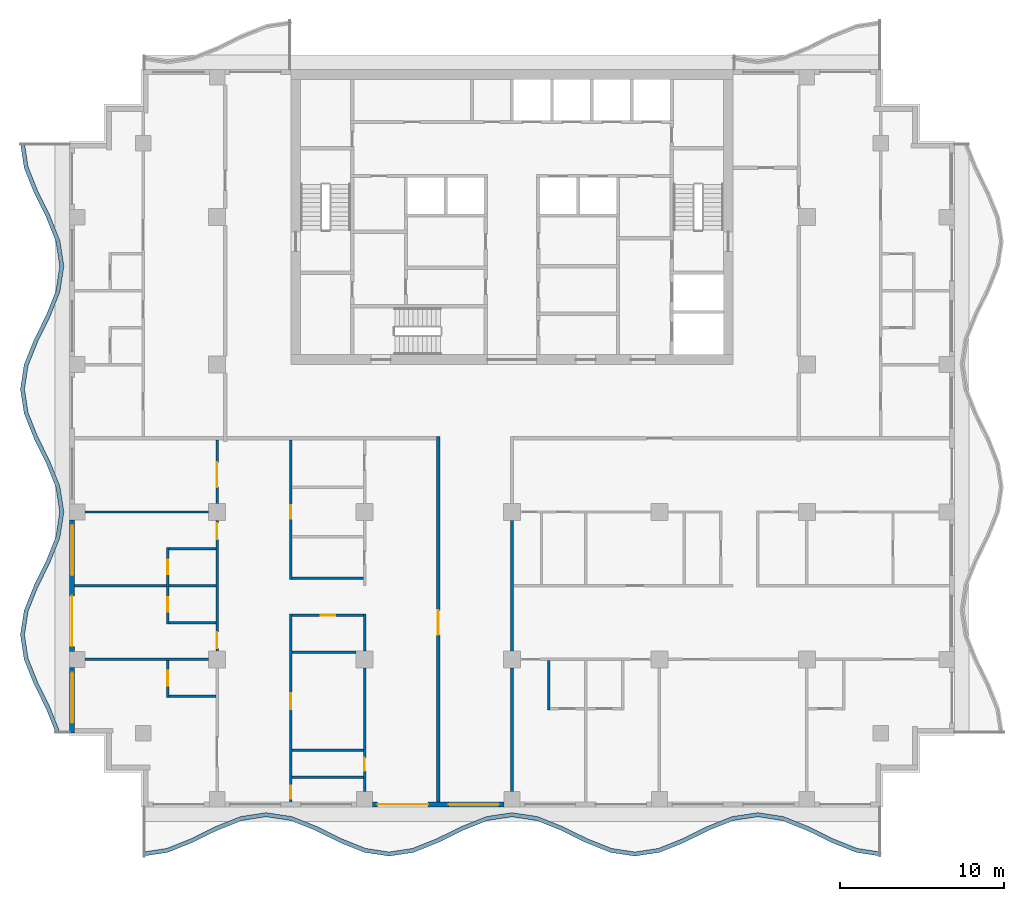
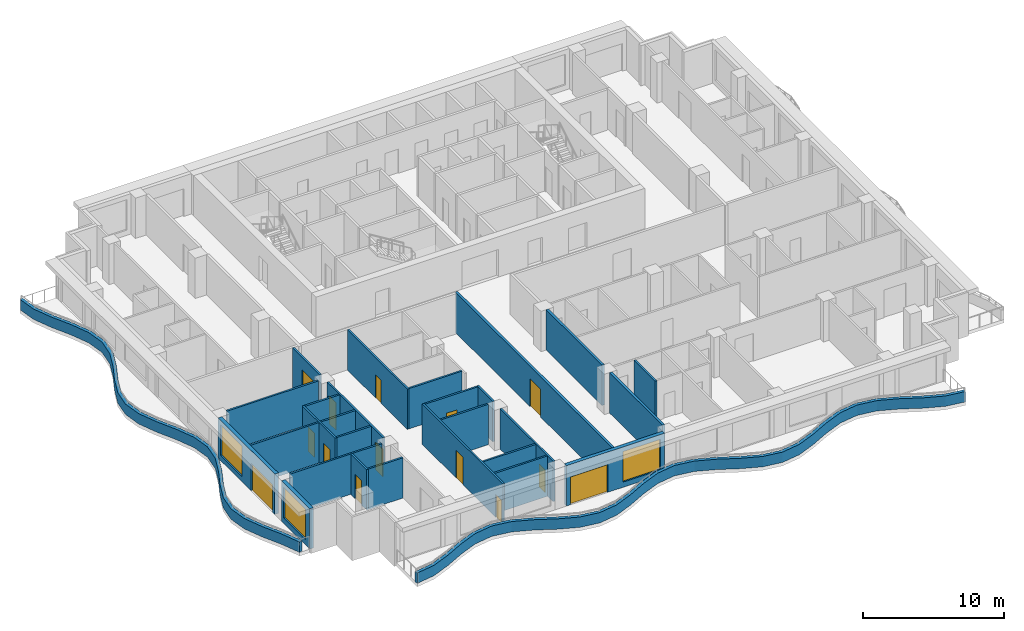
# One storey, part 2 of 11: 29 walls, 14 doors, 3 windows, 17 openings.
"""IFC4 building model written with IfcOpenShell, lengths in metres."""

from ifc_helpers import new_model, si_unit, direction, frame, frame_2d, origin, place, context, subcontext, project, spatial, polyline, rectangle, outline, extrude, material, layer, layer_set, type_object, element, fill, save


model = new_model("IFC4")

# Units and contexts
model_context = context("Model", 3, precision=1e-05, world=origin(), true_north=direction((0.0, 1.0)))
body_context = subcontext(model_context, "Body", "Model", "MODEL_VIEW")
ifc_project = project(units=[si_unit("LENGTHUNIT", "METRE"), si_unit("AREAUNIT", "SQUARE_METRE"), si_unit("VOLUMEUNIT", "CUBIC_METRE"), si_unit("PLANEANGLEUNIT", "RADIAN"), si_unit("MASSUNIT", "GRAM", prefix="KILO")], contexts=[model_context])

# Site, building, storey
site_placement = place(None, origin())
site = spatial("IfcSite", under=ifc_project, at=site_placement, CompositionType="ELEMENT")
building_placement = place(site_placement, origin())
building = spatial("IfcBuilding", under=site, at=building_placement, Name="Orbiselva Terraces", CompositionType="ELEMENT")
storey_placement = place(building_placement, frame((0.0, 0.0, 218.6)))
storey = spatial("IfcBuildingStorey", under=building, at=storey_placement, Name="L55", CompositionType="ELEMENT", Elevation=218.6)

# Walls
ifc_material_1 = material(Name="Concrete C40/50", Category="concrete")
ifc_layer_1 = layer(ifc_material_1, 0.25)
ifc_layer_set_1 = layer_set([ifc_layer_1], Name="Concrete C40/50")
wall_type_1 = type_object("IfcWallType", Name="ENV-PLANTER-250x900", PredefinedType="USERDEFINED", material=ifc_layer_set_1)
wall_1_placement = place(storey_placement, origin())
element("IfcWall", 1, at=wall_1_placement, inside=storey, type_object=wall_type_1, Name="Balcony planter L55 S", ObjectType="PLANTER", PredefinedType="USERDEFINED", context=body_context, shape_type="SweptSolid", body=[
    extrude(outline(polyline([(-22.5, -25.5), (-21.0, -25.27082), (-19.5, -24.67082), (-18.0, -23.92918), (-16.5, -23.32918), (-15.0, -23.1), (-13.5, -23.32918), (-12.0, -23.92918), (-10.5, -24.67082), (-9.0, -25.27082), (-7.5, -25.5), (-6.0, -25.27082), (-4.5, -24.67082), (-3.0, -23.92918), (-1.5, -23.32918), (0.0, -23.1), (1.5, -23.32918), (3.0, -23.92918), (4.5, -24.67082), (6.0, -25.27082), (7.5, -25.5), (9.0, -25.27082), (10.5, -24.67082), (12.0, -23.92918), (13.5, -23.32918), (15.0, -23.1), (16.5, -23.32918), (18.0, -23.92918), (19.5, -24.67082), (21.0, -25.27082), (22.5, -25.5), (22.537758, -25.252868), (21.066166, -25.028028), (19.601983, -24.442355), (18.101983, -23.700715), (16.566166, -23.086388), (15.0, -22.847099), (13.433834, -23.086388), (11.898017, -23.700715), (10.398017, -24.442355), (8.933834, -25.028028), (7.5, -25.247099), (6.066166, -25.028028), (4.601983, -24.442355), (3.101983, -23.700715), (1.566166, -23.086388), (0.0, -22.847099), (-1.566166, -23.086388), (-3.101983, -23.700715), (-4.601983, -24.442355), (-6.066166, -25.028028), (-7.5, -25.247099), (-8.933834, -25.028028), (-10.398017, -24.442355), (-11.898017, -23.700715), (-13.433834, -23.086388), (-15.0, -22.847099), (-16.566166, -23.086388), (-18.101983, -23.700715), (-19.601983, -24.442355), (-21.066166, -25.028028), (-22.537758, -25.252868), (-22.5, -25.5)])), origin(), (0.0, 0.0, 1.0), 0.9),
])
wall_2_placement = place(storey_placement, origin())
element("IfcWall", 2, at=wall_2_placement, inside=storey, type_object=wall_type_1, Name="Balcony planter L55 W", ObjectType="PLANTER", PredefinedType="USERDEFINED", context=body_context, shape_type="SweptSolid", body=[
    extrude(outline(polyline([(-30.0, 18.0), (-29.77082, 16.5), (-29.17082, 15.0), (-28.42918, 13.5), (-27.82918, 12.0), (-27.6, 10.5), (-27.82918, 9.0), (-28.42918, 7.5), (-29.17082, 6.0), (-29.77082, 4.5), (-30.0, 3.0), (-29.77082, 1.5), (-29.17082, 0.0), (-28.42918, -1.5), (-27.82918, -3.0), (-27.6, -4.5), (-27.82918, -6.0), (-28.42918, -7.5), (-29.17082, -9.0), (-29.77082, -10.5), (-30.0, -12.0), (-29.77082, -13.5), (-29.17082, -15.0), (-28.42918, -16.5), (-27.82918, -18.0), (-27.597061, -17.907152), (-28.200715, -16.398017), (-28.942355, -14.898017), (-29.528028, -13.433834), (-29.747099, -12.0), (-29.528028, -10.566166), (-28.942355, -9.101983), (-28.200715, -7.601983), (-27.586388, -6.066166), (-27.347099, -4.5), (-27.586388, -2.933834), (-28.200715, -1.398017), (-28.942355, 0.101983), (-29.528028, 1.566166), (-29.747099, 3.0), (-29.528028, 4.433834), (-28.942355, 5.898017), (-28.200715, 7.398017), (-27.586388, 8.933834), (-27.347099, 10.5), (-27.586388, 12.066166), (-28.200715, 13.601983), (-28.942355, 15.101983), (-29.528028, 16.566166), (-29.752868, 18.037758), (-30.0, 18.0)])), origin(), (0.0, 0.0, 1.0), 0.9),
])

# Wall, openings, door, window
ifc_material_2 = material(Name="Terracotta cladding on masonry backing", Category="masonry")
ifc_layer_2 = layer(ifc_material_2, 0.3)
ifc_layer_set_2 = layer_set([ifc_layer_2], Name="Terracotta cladding on masonry backing")
wall_type_2 = type_object("IfcWallType", Name="ENV-WALL-TERRACOTTA-300", PredefinedType="SOLIDWALL", material=ifc_layer_set_2)
wall_3_placement = place(storey_placement, frame((-0.475, -22.35, 0.0), z_axis=(0.0, 0.0, 1.0), x_axis=(-1.0, 0.0, 0.0)))
wall_3 = element("IfcWall", 3, at=wall_3_placement, inside=storey, type_object=wall_type_2, Name="Facade wall L55 S", PredefinedType="SOLIDWALL", context=body_context, shape_type="SweptSolid", body=[
    extrude(rectangle(XDim=8.05, YDim=0.3, at=frame_2d((4.025, 0.0))), origin(), (0.0, 0.0, 1.0), 3.5),
])
opening_1_placement = place(wall_3_placement, frame((4.65, 0.0, 0.0)))
opening_1 = element("IfcOpeningElement", 4, at=opening_1_placement, cuts=wall_3, Name="Opening Z4-D-E02", PredefinedType="OPENING", context=body_context, shape_type="SweptSolid", body=[
    extrude(rectangle(XDim=3.075, YDim=2.4, at=frame_2d((1.5375, 1.2))), frame((0.0, 0.16, 0.0), z_axis=(0.0, -1.0, 0.0), x_axis=(1.0, 0.0, 0.0)), (0.0, 0.0, 1.0), 0.32),
])
opening_2_placement = place(wall_3_placement, frame((0.325, 0.0, 0.45)))
opening_2 = element("IfcOpeningElement", 5, at=opening_2_placement, cuts=wall_3, Name="Opening WN15", PredefinedType="OPENING", context=body_context, shape_type="SweptSolid", body=[
    extrude(rectangle(XDim=3.075, YDim=2.65, at=frame_2d((1.5375, 1.325))), frame((0.0, 0.16, 0.0), z_axis=(0.0, -1.0, 0.0), x_axis=(1.0, 0.0, 0.0)), (0.0, 0.0, 1.0), 0.32),
])
ifc_material_3 = material(Name="Clear low-e glazing in aluminium frame", Category="aluminium")
door_type_1 = type_object("IfcDoorType", Name="BALCONY DOOR 3075 X 2400", OperationType="DOUBLE_DOOR_SLIDING", PredefinedType="DOOR", material=ifc_material_3)
door_1_placement = place(opening_1_placement, origin())
door_1 = element("IfcDoor", 6, at=door_1_placement, inside=storey, type_object=door_type_1, Name="Z4-D-E02", OperationType="SINGLE_SWING_LEFT", OverallHeight=2.4, OverallWidth=3.075, PredefinedType="DOOR", context=body_context, shape_type="SweptSolid", body=[
    extrude(rectangle(XDim=3.075, YDim=2.4, at=frame_2d((1.5375, 1.2))), frame((0.0, 0.025, 0.0), z_axis=(0.0, -1.0, 0.0), x_axis=(1.0, 0.0, 0.0)), (0.0, 0.0, 1.0), 0.05),
])
fill(opening_1, door_1)
window_type = type_object("IfcWindowType", Name="WINDOW 3075 X 2650 S450", PartitioningType="TRIPLE_PANEL_VERTICAL", PredefinedType="WINDOW", material=ifc_material_3)
window_1_placement = place(opening_2_placement, origin())
window_1 = element("IfcWindow", 7, at=window_1_placement, inside=storey, type_object=window_type, Name="Window L55 S", OverallHeight=2.65, OverallWidth=3.075, PartitioningType="SINGLE_PANEL", PredefinedType="WINDOW", context=body_context, shape_type="SweptSolid", body=[
    extrude(rectangle(XDim=3.075, YDim=2.65, at=frame_2d((1.5375, 1.325))), frame((0.0, 0.03, 0.0), z_axis=(0.0, -1.0, 0.0), x_axis=(1.0, 0.0, 0.0)), (0.0, 0.0, 1.0), 0.06),
])
fill(opening_2, window_1)

wall_4_placement = place(storey_placement, frame((-26.85, -13.025, 0.0), z_axis=(0.0, 0.0, 1.0), x_axis=(0.0, 1.0, 0.0)))
wall_4 = element("IfcWall", 8, at=wall_4_placement, inside=storey, type_object=wall_type_2, Name="Facade wall L55 W", PredefinedType="SOLIDWALL", context=body_context, shape_type="SweptSolid", body=[
    extrude(rectangle(XDim=8.05, YDim=0.3, at=frame_2d((4.025, 0.0))), origin(), (0.0, 0.0, 1.0), 3.5),
])
opening_3_placement = place(wall_4_placement, frame((4.65, 0.0, 0.45)))
opening_3 = element("IfcOpeningElement", 9, at=opening_3_placement, cuts=wall_4, Name="Opening WN15", PredefinedType="OPENING", context=body_context, shape_type="SweptSolid", body=[
    extrude(rectangle(XDim=3.075, YDim=2.65, at=frame_2d((1.5375, 1.325))), frame((0.0, 0.16, 0.0), z_axis=(0.0, -1.0, 0.0), x_axis=(1.0, 0.0, 0.0)), (0.0, 0.0, 1.0), 0.32),
])
opening_4_placement = place(wall_4_placement, frame((0.325, 0.0, 0.0)))
opening_4 = element("IfcOpeningElement", 10, at=opening_4_placement, cuts=wall_4, Name="Opening Z4-D-E12", PredefinedType="OPENING", context=body_context, shape_type="SweptSolid", body=[
    extrude(rectangle(XDim=3.075, YDim=2.4, at=frame_2d((1.5375, 1.2))), frame((0.0, 0.16, 0.0), z_axis=(0.0, -1.0, 0.0), x_axis=(1.0, 0.0, 0.0)), (0.0, 0.0, 1.0), 0.32),
])
door_2_placement = place(opening_4_placement, origin())
door_2 = element("IfcDoor", 11, at=door_2_placement, inside=storey, type_object=door_type_1, Name="Z4-D-E12", OperationType="SINGLE_SWING_LEFT", OverallHeight=2.4, OverallWidth=3.075, PredefinedType="DOOR", context=body_context, shape_type="SweptSolid", body=[
    extrude(rectangle(XDim=3.075, YDim=2.4, at=frame_2d((1.5375, 1.2))), frame((0.0, 0.025, 0.0), z_axis=(0.0, -1.0, 0.0), x_axis=(1.0, 0.0, 0.0)), (0.0, 0.0, 1.0), 0.05),
])
fill(opening_4, door_2)
window_2_placement = place(opening_3_placement, origin())
window_2 = element("IfcWindow", 12, at=window_2_placement, inside=storey, type_object=window_type, Name="Window L55 W", OverallHeight=2.65, OverallWidth=3.075, PartitioningType="SINGLE_PANEL", PredefinedType="WINDOW", context=body_context, shape_type="SweptSolid", body=[
    extrude(rectangle(XDim=3.075, YDim=2.65, at=frame_2d((1.5375, 1.325))), frame((0.0, 0.03, 0.0), z_axis=(0.0, -1.0, 0.0), x_axis=(1.0, 0.0, 0.0)), (0.0, 0.0, 1.0), 0.06),
])
fill(opening_3, window_2)

# Wall, opening, window
wall_5_placement = place(storey_placement, frame((-26.85, -18.0, 0.0), z_axis=(0.0, 0.0, 1.0), x_axis=(0.0, 1.0, 0.0)))
wall_5 = element("IfcWall", 13, at=wall_5_placement, inside=storey, type_object=wall_type_2, Name="Facade wall L55 W", PredefinedType="SOLIDWALL", context=body_context, shape_type="SweptSolid", body=[
    extrude(rectangle(XDim=4.025, YDim=0.3, at=frame_2d((2.0125, 0.0))), origin(), (0.0, 0.0, 1.0), 3.5),
])
opening_5_placement = place(wall_5_placement, frame((0.625, 0.0, 0.45)))
opening_5 = element("IfcOpeningElement", 14, at=opening_5_placement, cuts=wall_5, Name="Opening WN15", PredefinedType="OPENING", context=body_context, shape_type="SweptSolid", body=[
    extrude(rectangle(XDim=3.075, YDim=2.65, at=frame_2d((1.5375, 1.325))), frame((0.0, 0.16, 0.0), z_axis=(0.0, -1.0, 0.0), x_axis=(1.0, 0.0, 0.0)), (0.0, 0.0, 1.0), 0.32),
])
window_3_placement = place(opening_5_placement, origin())
window_3 = element("IfcWindow", 15, at=window_3_placement, inside=storey, type_object=window_type, Name="Window L55 W", OverallHeight=2.65, OverallWidth=3.075, PartitioningType="SINGLE_PANEL", PredefinedType="WINDOW", context=body_context, shape_type="SweptSolid", body=[
    extrude(rectangle(XDim=3.075, YDim=2.65, at=frame_2d((1.5375, 1.325))), frame((0.0, 0.03, 0.0), z_axis=(0.0, -1.0, 0.0), x_axis=(1.0, 0.0, 0.0)), (0.0, 0.0, 1.0), 0.06),
])
fill(opening_5, window_3)

# Wall, opening, door
ifc_material_4 = material(Name="Plasterboard on steel stud partition", Category="steel")
ifc_layer_3 = layer(ifc_material_4, 0.2)
ifc_layer_set_3 = layer_set([ifc_layer_3], Name="Plasterboard on steel stud partition")
wall_type_3 = type_object("IfcWallType", Name="UNIT-ENTRANCE-WALL-200", PredefinedType="PARTITIONING", material=ifc_layer_set_3)
wall_6_placement = place(storey_placement, frame((-4.5, -22.2, 0.0), z_axis=(0.0, 0.0, 1.0), x_axis=(0.0, 1.0, 0.0)))
wall_6 = element("IfcWall", 16, at=wall_6_placement, inside=storey, type_object=wall_type_3, Name="PARTITION L55-059", PredefinedType="PARTITIONING", context=body_context, shape_type="SweptSolid", body=[
    extrude(rectangle(XDim=22.3, YDim=0.2, at=frame_2d((11.15, 0.0))), origin(), (0.0, 0.0, 1.0), 3.5),
])
opening_6_placement = place(wall_6_placement, frame((10.2, 0.0, 0.0)))
opening_6 = element("IfcOpeningElement", 17, at=opening_6_placement, cuts=wall_6, Name="Opening Z4-D-14", PredefinedType="OPENING", context=body_context, shape_type="SweptSolid", body=[
    extrude(rectangle(XDim=1.5, YDim=2.4, at=frame_2d((0.75, 1.2))), frame((0.0, 0.11, 0.0), z_axis=(0.0, -1.0, 0.0), x_axis=(1.0, 0.0, 0.0)), (0.0, 0.0, 1.0), 0.22),
])
ifc_material_5 = material(Name="Painted timber door leaf", Category="wood")
door_type_2 = type_object("IfcDoorType", Name="ENTRANCE DOUBLE DOOR 1500", OperationType="NOTDEFINED", PredefinedType="DOOR", material=ifc_material_5)
door_3_placement = place(opening_6_placement, origin())
door_3 = element("IfcDoor", 18, at=door_3_placement, inside=storey, type_object=door_type_2, Name="Z4-D-14", OperationType="DOUBLE_DOOR_SINGLE_SWING", OverallHeight=2.4, OverallWidth=1.5, PredefinedType="DOOR", context=body_context, shape_type="SweptSolid", body=[
    extrude(rectangle(XDim=1.5, YDim=2.4, at=frame_2d((0.75, 1.2))), frame((0.0, 0.025, 0.0), z_axis=(0.0, -1.0, 0.0), x_axis=(1.0, 0.0, 0.0)), (0.0, 0.0, 1.0), 0.05),
])
fill(opening_6, door_3)

# Walls
wall_7_placement = place(storey_placement, frame((0.0, -21.55, 0.0), z_axis=(0.0, 0.0, 1.0), x_axis=(0.0, 1.0, 0.0)))
element("IfcWall", 19, at=wall_7_placement, inside=storey, type_object=wall_type_3, Name="PARTITION L55-060", PredefinedType="PARTITIONING", context=body_context, shape_type="SweptSolid", body=[
    extrude(rectangle(XDim=7.525, YDim=0.2, at=frame_2d((3.7625, 0.0))), origin(), (0.0, 0.0, 1.0), 3.5),
])
wall_8_placement = place(storey_placement, frame((0.0, -12.975, 0.0), z_axis=(0.0, 0.0, 1.0), x_axis=(0.0, 1.0, 0.0)))
element("IfcWall", 20, at=wall_8_placement, inside=storey, type_object=wall_type_3, Name="PARTITION L55-061", PredefinedType="PARTITIONING", context=body_context, shape_type="SweptSolid", body=[
    extrude(rectangle(XDim=7.95, YDim=0.2, at=frame_2d((3.975, 0.0))), origin(), (0.0, 0.0, 1.0), 3.5),
])
ifc_layer_4 = layer(ifc_material_4, 0.15)
ifc_layer_set_4 = layer_set([ifc_layer_4], Name="Plasterboard on steel stud partition")
wall_type_4 = type_object("IfcWallType", Name="UNIT-PARTITION-150", PredefinedType="PARTITIONING", material=ifc_layer_set_4)
for number, where, z_axis, x_axis, name in (
    (21, (-13.425, -20.7, 0.0), (0.0, 0.0, 1.0), (1.0, 0.0, 0.0), "PARTITION L55-001"),
    (22, (-13.425, -19.05, 0.0), (0.0, 0.0, 1.0), (1.0, 0.0, 0.0), "PARTITION L55-002"),
):
    element("IfcWall", number, at=place(storey_placement, frame(where, z_axis=z_axis, x_axis=x_axis)), inside=storey, type_object=wall_type_4, Name=name, PredefinedType="PARTITIONING", context=body_context, shape_type="SweptSolid", body=[
        extrude(rectangle(XDim=4.35, YDim=0.15, at=frame_2d((2.175, 0.0))), origin(), (0.0, 0.0, 1.0), 3.5),
    ])
wall_9_placement = place(storey_placement, frame((-20.925, -15.75, 0.0), z_axis=(0.0, 0.0, 1.0), x_axis=(1.0, 0.0, 0.0)))
element("IfcWall", 23, at=wall_9_placement, inside=storey, type_object=wall_type_4, Name="PARTITION L55-006", PredefinedType="PARTITIONING", context=body_context, shape_type="SweptSolid", body=[
    extrude(rectangle(XDim=2.85, YDim=0.15, at=frame_2d((1.425, 0.0))), origin(), (0.0, 0.0, 1.0), 3.5),
])
wall_10_placement = place(storey_placement, frame((-26.05, -13.5, 0.0), z_axis=(0.0, 0.0, 1.0), x_axis=(1.0, 0.0, 0.0)))
element("IfcWall", 24, at=wall_10_placement, inside=storey, type_object=wall_type_4, Name="PARTITION L55-007", PredefinedType="PARTITIONING", context=body_context, shape_type="SweptSolid", body=[
    extrude(rectangle(XDim=7.525, YDim=0.15, at=frame_2d((3.7625, 0.0))), origin(), (0.0, 0.0, 1.0), 3.5),
])
wall_11_placement = place(storey_placement, frame((-13.425, -13.05, 0.0), z_axis=(0.0, 0.0, 1.0), x_axis=(1.0, 0.0, 0.0)))
element("IfcWall", 25, at=wall_11_placement, inside=storey, type_object=wall_type_4, Name="PARTITION L55-011", PredefinedType="PARTITIONING", context=body_context, shape_type="SweptSolid", body=[
    extrude(rectangle(XDim=3.9, YDim=0.15, at=frame_2d((1.95, 0.0))), origin(), (0.0, 0.0, 1.0), 3.5),
])
wall_12_placement = place(storey_placement, frame((-20.925, -11.25, 0.0), z_axis=(0.0, 0.0, 1.0), x_axis=(1.0, 0.0, 0.0)))
element("IfcWall", 26, at=wall_12_placement, inside=storey, type_object=wall_type_4, Name="PARTITION L55-012", PredefinedType="PARTITIONING", context=body_context, shape_type="SweptSolid", body=[
    extrude(rectangle(XDim=2.85, YDim=0.15, at=frame_2d((1.425, 0.0))), origin(), (0.0, 0.0, 1.0), 3.5),
])

# Wall, opening, door
wall_13_placement = place(storey_placement, frame((-9.075, -10.8, 0.0), z_axis=(0.0, 0.0, 1.0), x_axis=(-1.0, 0.0, 0.0)))
wall_13 = element("IfcWall", 27, at=wall_13_placement, inside=storey, type_object=wall_type_4, Name="PARTITION L55-013", PredefinedType="PARTITIONING", context=body_context, shape_type="SweptSolid", body=[
    extrude(rectangle(XDim=4.35, YDim=0.15, at=frame_2d((2.175, 0.0))), origin(), (0.0, 0.0, 1.0), 3.5),
])
opening_7_placement = place(wall_13_placement, frame((1.7, 0.0, 0.0)))
opening_7 = element("IfcOpeningElement", 28, at=opening_7_placement, cuts=wall_13, Name="Opening Z4-D-18", PredefinedType="OPENING", context=body_context, shape_type="SweptSolid", body=[
    extrude(rectangle(XDim=0.9, YDim=2.1, at=frame_2d((0.45, 1.05))), frame((0.0, 0.085, 0.0), z_axis=(0.0, -1.0, 0.0), x_axis=(1.0, 0.0, 0.0)), (0.0, 0.0, 1.0), 0.17),
])
door_type_3 = type_object("IfcDoorType", Name="BATH DOOR 900", OperationType="NOTDEFINED", PredefinedType="DOOR", material=ifc_material_5)
door_4_placement = place(opening_7_placement, origin())
door_4 = element("IfcDoor", 29, at=door_4_placement, inside=storey, type_object=door_type_3, Name="Z4-D-18", OperationType="SINGLE_SWING_LEFT", OverallHeight=2.1, OverallWidth=0.9, PredefinedType="DOOR", context=body_context, shape_type="SweptSolid", body=[
    extrude(rectangle(XDim=0.9, YDim=2.1, at=frame_2d((0.45, 1.05))), frame((0.0, 0.025, 0.0), z_axis=(0.0, -1.0, 0.0), x_axis=(1.0, 0.0, 0.0)), (0.0, 0.0, 1.0), 0.05),
])
fill(opening_7, door_4)

# Walls
wall_14_placement = place(storey_placement, frame((-26.7, -9.0, 0.0), z_axis=(0.0, 0.0, 1.0), x_axis=(1.0, 0.0, 0.0)))
element("IfcWall", 30, at=wall_14_placement, inside=storey, type_object=wall_type_4, Name="PARTITION L55-014", PredefinedType="PARTITIONING", context=body_context, shape_type="SweptSolid", body=[
    extrude(rectangle(XDim=5.625, YDim=0.15, at=frame_2d((2.8125, 0.0))), origin(), (0.0, 0.0, 1.0), 3.5),
])
wall_15_placement = place(storey_placement, frame((-20.925, -9.0, 0.0), z_axis=(0.0, 0.0, 1.0), x_axis=(1.0, 0.0, 0.0)))
element("IfcWall", 31, at=wall_15_placement, inside=storey, type_object=wall_type_4, Name="PARTITION L55-015", PredefinedType="PARTITIONING", context=body_context, shape_type="SweptSolid", body=[
    extrude(rectangle(XDim=2.85, YDim=0.15, at=frame_2d((1.425, 0.0))), origin(), (0.0, 0.0, 1.0), 3.5),
])
wall_16_placement = place(storey_placement, frame((-13.425, -8.55, 0.0), z_axis=(0.0, 0.0, 1.0), x_axis=(1.0, 0.0, 0.0)))
element("IfcWall", 32, at=wall_16_placement, inside=storey, type_object=wall_type_4, Name="PARTITION L55-018", PredefinedType="PARTITIONING", context=body_context, shape_type="SweptSolid", body=[
    extrude(rectangle(XDim=4.35, YDim=0.15, at=frame_2d((2.175, 0.0))), origin(), (0.0, 0.0, 1.0), 3.5),
])
wall_17_placement = place(storey_placement, frame((-20.925, -6.75, 0.0), z_axis=(0.0, 0.0, 1.0), x_axis=(1.0, 0.0, 0.0)))
element("IfcWall", 33, at=wall_17_placement, inside=storey, type_object=wall_type_4, Name="PARTITION L55-019", PredefinedType="PARTITIONING", context=body_context, shape_type="SweptSolid", body=[
    extrude(rectangle(XDim=2.85, YDim=0.15, at=frame_2d((1.425, 0.0))), origin(), (0.0, 0.0, 1.0), 3.5),
])
wall_18_placement = place(storey_placement, frame((-26.05, -4.5, 0.0), z_axis=(0.0, 0.0, 1.0), x_axis=(1.0, 0.0, 0.0)))
element("IfcWall", 34, at=wall_18_placement, inside=storey, type_object=wall_type_4, Name="PARTITION L55-021", PredefinedType="PARTITIONING", context=body_context, shape_type="SweptSolid", body=[
    extrude(rectangle(XDim=7.525, YDim=0.15, at=frame_2d((3.7625, 0.0))), origin(), (0.0, 0.0, 1.0), 3.5),
])

# Wall, opening, door
wall_19_placement = place(storey_placement, frame((-21.0, -13.575, 0.0), z_axis=(0.0, 0.0, 1.0), x_axis=(0.0, -1.0, 0.0)))
wall_19 = element("IfcWall", 35, at=wall_19_placement, inside=storey, type_object=wall_type_4, Name="PARTITION L55-045", PredefinedType="PARTITIONING", context=body_context, shape_type="SweptSolid", body=[
    extrude(rectangle(XDim=2.25, YDim=0.15, at=frame_2d((1.125, 0.0))), origin(), (0.0, 0.0, 1.0), 3.5),
])
opening_8_placement = place(wall_19_placement, frame((0.625, 0.0, 0.0)))
opening_8 = element("IfcOpeningElement", 36, at=opening_8_placement, cuts=wall_19, Name="Opening Z4-D-23", PredefinedType="OPENING", context=body_context, shape_type="SweptSolid", body=[
    extrude(rectangle(XDim=0.9, YDim=2.1, at=frame_2d((0.45, 1.05))), frame((0.0, 0.085, 0.0), z_axis=(0.0, -1.0, 0.0), x_axis=(1.0, 0.0, 0.0)), (0.0, 0.0, 1.0), 0.17),
])
door_5_placement = place(opening_8_placement, origin())
door_5 = element("IfcDoor", 37, at=door_5_placement, inside=storey, type_object=door_type_3, Name="Z4-D-23", OperationType="SINGLE_SWING_LEFT", OverallHeight=2.1, OverallWidth=0.9, PredefinedType="DOOR", context=body_context, shape_type="SweptSolid", body=[
    extrude(rectangle(XDim=0.9, YDim=2.1, at=frame_2d((0.45, 1.05))), frame((0.0, 0.025, 0.0), z_axis=(0.0, -1.0, 0.0), x_axis=(1.0, 0.0, 0.0)), (0.0, 0.0, 1.0), 0.05),
])
fill(opening_8, door_5)

# Wall, openings, doors
wall_20_placement = place(storey_placement, frame((-21.0, -6.675, 0.0), z_axis=(0.0, 0.0, 1.0), x_axis=(0.0, -1.0, 0.0)))
wall_20 = element("IfcWall", 38, at=wall_20_placement, inside=storey, type_object=wall_type_4, Name="PARTITION L55-046", PredefinedType="PARTITIONING", context=body_context, shape_type="SweptSolid", body=[
    extrude(rectangle(XDim=4.65, YDim=0.15, at=frame_2d((2.325, 0.0))), origin(), (0.0, 0.0, 1.0), 3.5),
])
opening_9_placement = place(wall_20_placement, frame((3.025, 0.0, 0.0)))
opening_9 = element("IfcOpeningElement", 39, at=opening_9_placement, cuts=wall_20, Name="Opening Z4-D-25", PredefinedType="OPENING", context=body_context, shape_type="SweptSolid", body=[
    extrude(rectangle(XDim=0.9, YDim=2.1, at=frame_2d((0.45, 1.05))), frame((0.0, 0.085, 0.0), z_axis=(0.0, -1.0, 0.0), x_axis=(1.0, 0.0, 0.0)), (0.0, 0.0, 1.0), 0.17),
])
opening_10_placement = place(wall_20_placement, frame((0.725, 0.0, 0.0)))
opening_10 = element("IfcOpeningElement", 40, at=opening_10_placement, cuts=wall_20, Name="Opening Z4-D-27", PredefinedType="OPENING", context=body_context, shape_type="SweptSolid", body=[
    extrude(rectangle(XDim=0.9, YDim=2.1, at=frame_2d((0.45, 1.05))), frame((0.0, 0.085, 0.0), z_axis=(0.0, -1.0, 0.0), x_axis=(1.0, 0.0, 0.0)), (0.0, 0.0, 1.0), 0.17),
])
door_6_placement = place(opening_9_placement, origin())
door_6 = element("IfcDoor", 41, at=door_6_placement, inside=storey, type_object=door_type_3, Name="Z4-D-25", OperationType="SINGLE_SWING_RIGHT", OverallHeight=2.1, OverallWidth=0.9, PredefinedType="DOOR", context=body_context, shape_type="SweptSolid", body=[
    extrude(rectangle(XDim=0.9, YDim=2.1, at=frame_2d((0.45, 1.05))), frame((0.0, 0.025, 0.0), z_axis=(0.0, -1.0, 0.0), x_axis=(1.0, 0.0, 0.0)), (0.0, 0.0, 1.0), 0.05),
])
fill(opening_9, door_6)
door_7_placement = place(opening_10_placement, origin())
door_7 = element("IfcDoor", 42, at=door_7_placement, inside=storey, type_object=door_type_3, Name="Z4-D-27", OperationType="SINGLE_SWING_LEFT", OverallHeight=2.1, OverallWidth=0.9, PredefinedType="DOOR", context=body_context, shape_type="SweptSolid", body=[
    extrude(rectangle(XDim=0.9, YDim=2.1, at=frame_2d((0.45, 1.05))), frame((0.0, 0.025, 0.0), z_axis=(0.0, -1.0, 0.0), x_axis=(1.0, 0.0, 0.0)), (0.0, 0.0, 1.0), 0.05),
])
fill(opening_10, door_7)

wall_21_placement = place(storey_placement, frame((-18.0, -12.975, 0.0), z_axis=(0.0, 0.0, 1.0), x_axis=(0.0, 1.0, 0.0)))
wall_21 = element("IfcWall", 43, at=wall_21_placement, inside=storey, type_object=wall_type_4, Name="PARTITION L55-048", PredefinedType="PARTITIONING", context=body_context, shape_type="SweptSolid", body=[
    extrude(rectangle(XDim=7.95, YDim=0.15, at=frame_2d((3.975, 0.0))), origin(), (0.0, 0.0, 1.0), 3.5),
])
opening_11_placement = place(wall_21_placement, frame((0.15, 0.0, 0.0)))
opening_11 = element("IfcOpeningElement", 44, at=opening_11_placement, cuts=wall_21, Name="Opening Z4-D-24", PredefinedType="OPENING", context=body_context, shape_type="SweptSolid", body=[
    extrude(rectangle(XDim=1.0, YDim=2.4, at=frame_2d((0.5, 1.2))), frame((0.0, 0.085, 0.0), z_axis=(0.0, -1.0, 0.0), x_axis=(1.0, 0.0, 0.0)), (0.0, 0.0, 1.0), 0.17),
])
opening_12_placement = place(wall_21_placement, frame((6.8, 0.0, 0.0)))
opening_12 = element("IfcOpeningElement", 45, at=opening_12_placement, cuts=wall_21, Name="Opening Z4-D-26", PredefinedType="OPENING", context=body_context, shape_type="SweptSolid", body=[
    extrude(rectangle(XDim=1.0, YDim=2.4, at=frame_2d((0.5, 1.2))), frame((0.0, 0.085, 0.0), z_axis=(0.0, -1.0, 0.0), x_axis=(1.0, 0.0, 0.0)), (0.0, 0.0, 1.0), 0.17),
])
door_type_4 = type_object("IfcDoorType", Name="ROOM DOOR 1000", OperationType="NOTDEFINED", PredefinedType="DOOR", material=ifc_material_5)
door_8_placement = place(opening_11_placement, origin())
door_8 = element("IfcDoor", 46, at=door_8_placement, inside=storey, type_object=door_type_4, Name="Z4-D-24", OperationType="SINGLE_SWING_LEFT", OverallHeight=2.4, OverallWidth=1.0, PredefinedType="DOOR", context=body_context, shape_type="SweptSolid", body=[
    extrude(rectangle(XDim=1.0, YDim=2.4, at=frame_2d((0.5, 1.2))), frame((0.0, 0.025, 0.0), z_axis=(0.0, -1.0, 0.0), x_axis=(1.0, 0.0, 0.0)), (0.0, 0.0, 1.0), 0.05),
])
fill(opening_11, door_8)
door_9_placement = place(opening_12_placement, origin())
door_9 = element("IfcDoor", 47, at=door_9_placement, inside=storey, type_object=door_type_4, Name="Z4-D-26", OperationType="SINGLE_SWING_RIGHT", OverallHeight=2.4, OverallWidth=1.0, PredefinedType="DOOR", context=body_context, shape_type="SweptSolid", body=[
    extrude(rectangle(XDim=1.0, YDim=2.4, at=frame_2d((0.5, 1.2))), frame((0.0, 0.025, 0.0), z_axis=(0.0, -1.0, 0.0), x_axis=(1.0, 0.0, 0.0)), (0.0, 0.0, 1.0), 0.05),
])
fill(opening_12, door_9)

# Wall, opening, door
wall_22_placement = place(storey_placement, frame((-18.0, -3.975, 0.0), z_axis=(0.0, 0.0, 1.0), x_axis=(0.0, 1.0, 0.0)))
wall_22 = element("IfcWall", 48, at=wall_22_placement, inside=storey, type_object=wall_type_4, Name="PARTITION L55-049", PredefinedType="PARTITIONING", context=body_context, shape_type="SweptSolid", body=[
    extrude(rectangle(XDim=3.875, YDim=0.15, at=frame_2d((1.9375, 0.0))), origin(), (0.0, 0.0, 1.0), 3.5),
])
opening_13_placement = place(wall_22_placement, frame((1.0, 0.0, 0.0)))
opening_13 = element("IfcOpeningElement", 49, at=opening_13_placement, cuts=wall_22, Name="Opening Z4-D-28", PredefinedType="OPENING", context=body_context, shape_type="SweptSolid", body=[
    extrude(rectangle(XDim=1.5, YDim=2.4, at=frame_2d((0.75, 1.2))), frame((0.0, 0.085, 0.0), z_axis=(0.0, -1.0, 0.0), x_axis=(1.0, 0.0, 0.0)), (0.0, 0.0, 1.0), 0.17),
])
door_type_5 = type_object("IfcDoorType", Name="DOUBLE DOOR 1500", OperationType="NOTDEFINED", PredefinedType="DOOR", material=ifc_material_5)
door_10_placement = place(opening_13_placement, origin())
door_10 = element("IfcDoor", 50, at=door_10_placement, inside=storey, type_object=door_type_5, Name="Z4-D-28", OperationType="DOUBLE_DOOR_SINGLE_SWING", OverallHeight=2.4, OverallWidth=1.5, PredefinedType="DOOR", context=body_context, shape_type="SweptSolid", body=[
    extrude(rectangle(XDim=1.5, YDim=2.4, at=frame_2d((0.75, 1.2))), frame((0.0, 0.025, 0.0), z_axis=(0.0, -1.0, 0.0), x_axis=(1.0, 0.0, 0.0)), (0.0, 0.0, 1.0), 0.05),
])
fill(opening_13, door_10)

# Wall, openings, doors
wall_23_placement = place(storey_placement, frame((-13.5, -10.725, 0.0), z_axis=(0.0, 0.0, 1.0), x_axis=(0.0, -1.0, 0.0)))
wall_23 = element("IfcWall", 51, at=wall_23_placement, inside=storey, type_object=wall_type_4, Name="PARTITION L55-053", PredefinedType="PARTITIONING", context=body_context, shape_type="SweptSolid", body=[
    extrude(rectangle(XDim=11.475, YDim=0.15, at=frame_2d((5.7375, 0.0))), origin(), (0.0, 0.0, 1.0), 3.5),
])
opening_14_placement = place(wall_23_placement, frame((10.475, 0.0, 0.0)))
opening_14 = element("IfcOpeningElement", 52, at=opening_14_placement, cuts=wall_23, Name="Opening Z4-D-15", PredefinedType="OPENING", context=body_context, shape_type="SweptSolid", body=[
    extrude(rectangle(XDim=0.8, YDim=2.0, at=frame_2d((0.4, 1.0))), frame((0.0, 0.085, 0.0), z_axis=(0.0, -1.0, 0.0), x_axis=(1.0, 0.0, 0.0)), (0.0, 0.0, 1.0), 0.17),
])
opening_15_placement = place(wall_23_placement, frame((4.825, 0.0, 0.0)))
opening_15 = element("IfcOpeningElement", 53, at=opening_15_placement, cuts=wall_23, Name="Opening Z4-D-17", PredefinedType="OPENING", context=body_context, shape_type="SweptSolid", body=[
    extrude(rectangle(XDim=1.0, YDim=2.4, at=frame_2d((0.5, 1.2))), frame((0.0, 0.085, 0.0), z_axis=(0.0, -1.0, 0.0), x_axis=(1.0, 0.0, 0.0)), (0.0, 0.0, 1.0), 0.17),
])
door_11_placement = place(opening_15_placement, origin())
door_11 = element("IfcDoor", 54, at=door_11_placement, inside=storey, type_object=door_type_4, Name="Z4-D-17", OperationType="SINGLE_SWING_LEFT", OverallHeight=2.4, OverallWidth=1.0, PredefinedType="DOOR", context=body_context, shape_type="SweptSolid", body=[
    extrude(rectangle(XDim=1.0, YDim=2.4, at=frame_2d((0.5, 1.2))), frame((0.0, 0.025, 0.0), z_axis=(0.0, -1.0, 0.0), x_axis=(1.0, 0.0, 0.0)), (0.0, 0.0, 1.0), 0.05),
])
fill(opening_15, door_11)
door_type_6 = type_object("IfcDoorType", Name="STORE DOOR 800", OperationType="NOTDEFINED", PredefinedType="DOOR", material=ifc_material_5)
door_12_placement = place(opening_14_placement, origin())
door_12 = element("IfcDoor", 55, at=door_12_placement, inside=storey, type_object=door_type_6, Name="Z4-D-15", OperationType="SINGLE_SWING_RIGHT", OverallHeight=2.0, OverallWidth=0.8, PredefinedType="DOOR", context=body_context, shape_type="SweptSolid", body=[
    extrude(rectangle(XDim=0.8, YDim=2.0, at=frame_2d((0.4, 1.0))), frame((0.0, 0.025, 0.0), z_axis=(0.0, -1.0, 0.0), x_axis=(1.0, 0.0, 0.0)), (0.0, 0.0, 1.0), 0.05),
])
fill(opening_14, door_12)

# Wall, opening, door
wall_24_placement = place(storey_placement, frame((-13.5, -0.1, 0.0), z_axis=(0.0, 0.0, 1.0), x_axis=(0.0, -1.0, 0.0)))
wall_24 = element("IfcWall", 56, at=wall_24_placement, inside=storey, type_object=wall_type_4, Name="PARTITION L55-054", PredefinedType="PARTITIONING", context=body_context, shape_type="SweptSolid", body=[
    extrude(rectangle(XDim=8.525, YDim=0.15, at=frame_2d((4.2625, 0.0))), origin(), (0.0, 0.0, 1.0), 3.5),
])
opening_16_placement = place(wall_24_placement, frame((4.0, 0.0, 0.0)))
opening_16 = element("IfcOpeningElement", 57, at=opening_16_placement, cuts=wall_24, Name="Opening Z4-D-20", PredefinedType="OPENING", context=body_context, shape_type="SweptSolid", body=[
    extrude(rectangle(XDim=0.8, YDim=2.0, at=frame_2d((0.4, 1.0))), frame((0.0, 0.085, 0.0), z_axis=(0.0, -1.0, 0.0), x_axis=(1.0, 0.0, 0.0)), (0.0, 0.0, 1.0), 0.17),
])
door_13_placement = place(opening_16_placement, origin())
door_13 = element("IfcDoor", 58, at=door_13_placement, inside=storey, type_object=door_type_6, Name="Z4-D-20", OperationType="SINGLE_SWING_RIGHT", OverallHeight=2.0, OverallWidth=0.8, PredefinedType="DOOR", context=body_context, shape_type="SweptSolid", body=[
    extrude(rectangle(XDim=0.8, YDim=2.0, at=frame_2d((0.4, 1.0))), frame((0.0, 0.025, 0.0), z_axis=(0.0, -1.0, 0.0), x_axis=(1.0, 0.0, 0.0)), (0.0, 0.0, 1.0), 0.05),
])
fill(opening_16, door_13)

wall_25_placement = place(storey_placement, frame((-9.0, -21.55, 0.0), z_axis=(0.0, 0.0, 1.0), x_axis=(0.0, 1.0, 0.0)))
wall_25 = element("IfcWall", 59, at=wall_25_placement, inside=storey, type_object=wall_type_4, Name="PARTITION L55-055", PredefinedType="PARTITIONING", context=body_context, shape_type="SweptSolid", body=[
    extrude(rectangle(XDim=7.525, YDim=0.15, at=frame_2d((3.7625, 0.0))), origin(), (0.0, 0.0, 1.0), 3.5),
])
opening_17_placement = place(wall_25_placement, frame((1.25, 0.0, 0.0)))
opening_17 = element("IfcOpeningElement", 60, at=opening_17_placement, cuts=wall_25, Name="Opening Z4-D-16", PredefinedType="OPENING", context=body_context, shape_type="SweptSolid", body=[
    extrude(rectangle(XDim=0.8, YDim=2.0, at=frame_2d((0.4, 1.0))), frame((0.0, 0.085, 0.0), z_axis=(0.0, -1.0, 0.0), x_axis=(1.0, 0.0, 0.0)), (0.0, 0.0, 1.0), 0.17),
])
door_14_placement = place(opening_17_placement, origin())
door_14 = element("IfcDoor", 61, at=door_14_placement, inside=storey, type_object=door_type_6, Name="Z4-D-16", OperationType="SINGLE_SWING_LEFT", OverallHeight=2.0, OverallWidth=0.8, PredefinedType="DOOR", context=body_context, shape_type="SweptSolid", body=[
    extrude(rectangle(XDim=0.8, YDim=2.0, at=frame_2d((0.4, 1.0))), frame((0.0, 0.025, 0.0), z_axis=(0.0, -1.0, 0.0), x_axis=(1.0, 0.0, 0.0)), (0.0, 0.0, 1.0), 0.05),
])
fill(opening_17, door_14)

# Walls
wall_26_placement = place(storey_placement, frame((-9.0, -12.975, 0.0), z_axis=(0.0, 0.0, 1.0), x_axis=(0.0, 1.0, 0.0)))
element("IfcWall", 62, at=wall_26_placement, inside=storey, type_object=wall_type_4, Name="PARTITION L55-056", PredefinedType="PARTITIONING", context=body_context, shape_type="SweptSolid", body=[
    extrude(rectangle(XDim=2.25, YDim=0.15, at=frame_2d((1.125, 0.0))), origin(), (0.0, 0.0, 1.0), 3.5),
])
wall_27_placement = place(storey_placement, frame((2.25, -16.575, 0.0), z_axis=(0.0, 0.0, 1.0), x_axis=(0.0, 1.0, 0.0)))
element("IfcWall", 63, at=wall_27_placement, inside=storey, type_object=wall_type_4, Name="PARTITION L55-064", PredefinedType="PARTITIONING", context=body_context, shape_type="SweptSolid", body=[
    extrude(rectangle(XDim=3.0, YDim=0.15, at=frame_2d((1.5, 0.0))), origin(), (0.0, 0.0, 1.0), 3.5),
])

save(model, "model.ifc")
